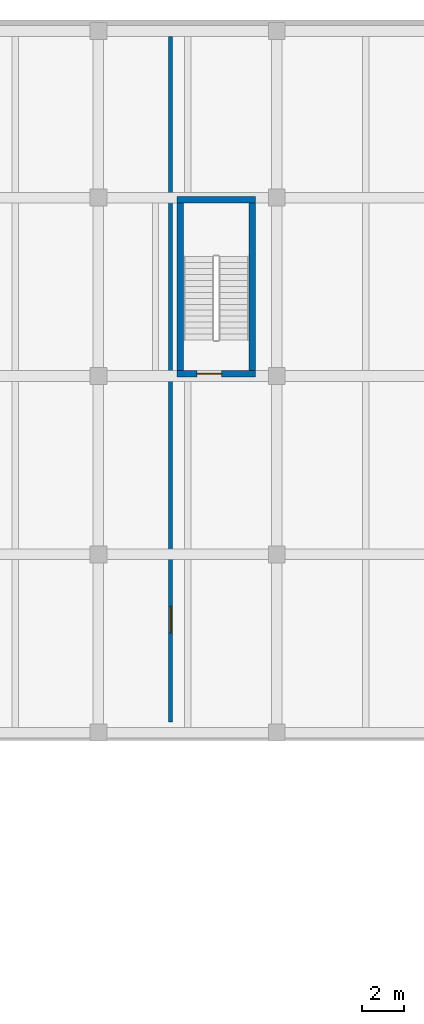
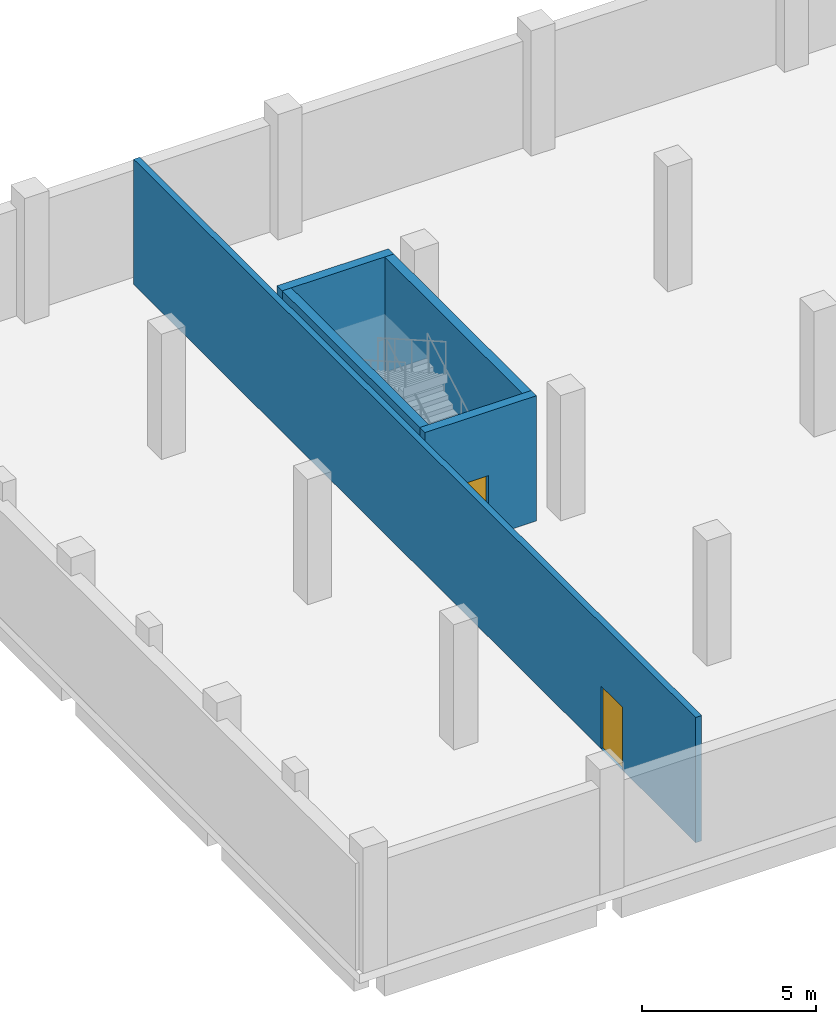
# One storey, part 9 of 17: 5 walls, 2 doors, 2 openings.
"""IFC4 building model written with IfcOpenShell, lengths in metres."""

from ifc_helpers import new_model, si_unit, direction, frame, frame_2d, origin, place, context, subcontext, project, spatial, rectangle, extrude, material, layer, layer_set, type_object, element, fill, save


model = new_model("IFC4")

# Units and contexts
model_context = context("Model", 3, precision=1e-05, world=origin(), true_north=direction((0.0, 1.0)))
body_context = subcontext(model_context, "Body", "Model", "MODEL_VIEW")
ifc_project = project(units=[si_unit("LENGTHUNIT", "METRE"), si_unit("AREAUNIT", "SQUARE_METRE"), si_unit("VOLUMEUNIT", "CUBIC_METRE"), si_unit("PLANEANGLEUNIT", "RADIAN"), si_unit("MASSUNIT", "GRAM", prefix="KILO")], contexts=[model_context])

# Site, building, storey
site_placement = place(None, origin())
site = spatial("IfcSite", under=ifc_project, at=site_placement, CompositionType="ELEMENT")
building_placement = place(site_placement, origin())
building = spatial("IfcBuilding", under=site, at=building_placement, Name="Brinegate Botanical Conservatory", CompositionType="ELEMENT")
storey_placement = place(building_placement, frame((0.0, 0.0, -4.800048828125)))
storey = spatial("IfcBuildingStorey", under=building, at=storey_placement, Name="B1", CompositionType="ELEMENT", Elevation=-4.800048828125)

# Wall, opening, door
ifc_material_1 = material(Name="Autoclaved aerated concrete C40/50 blockwork", Category="masonry")
ifc_layer_1 = layer(ifc_material_1, 0.199951171875, Name="Autoclaved aerated concrete C40/50 blockwork", Category="masonry")
ifc_layer_set_1 = layer_set([ifc_layer_1], Name="Autoclaved aerated concrete C40/50 blockwork")
wall_type_1 = type_object("IfcWallType", Name="Wall_PW-200F", PredefinedType="SOLIDWALL", material=ifc_layer_set_1)
wall_1_placement = place(storey_placement, frame((11.800048828125, 78.89990234375, 0.0), z_axis=(0.0, 0.0, 1.0), x_axis=(0.0, 1.0, 0.0)))
wall_1 = element("IfcWall", 1, at=wall_1_placement, inside=storey, type_object=wall_type_1, Name="Interior partition P-B1-WPLANT", PredefinedType="SOLIDWALL", context=body_context, shape_type="SweptSolid", body=[
    extrude(rectangle(XDim=32.300048828125, YDim=0.199951171875, at=frame_2d((16.14990234375, 0.0))), origin(), (0.0, 0.0, 1.0), 4.39501953125),
])
opening_1_placement = place(wall_1_placement, frame((4.199951171875, 0.0, 0.0)))
opening_1 = element("IfcOpeningElement", 2, at=opening_1_placement, cuts=wall_1, Name="Opening FD-A1", PredefinedType="OPENING", context=body_context, shape_type="SweptSolid", body=[
    extrude(rectangle(XDim=1.25, YDim=2.199951171875, at=frame_2d((0.625, 1.10009765625))), frame((0.0, 0.10986328125, 0.0), z_axis=(0.0, -1.0, 0.0), x_axis=(1.0, 0.0, 0.0)), (0.0, 0.0, 1.0), 0.219970703125),
])
ifc_material_2 = material(Name="Steel fire-rated assembly", Category="steel")
door_type_1 = type_object("IfcDoorType", Name="Door_FD-A1", OperationType="NOTDEFINED", PredefinedType="DOOR", material=ifc_material_2)
door_1_placement = place(opening_1_placement, origin())
door_1 = element("IfcDoor", 3, at=door_1_placement, inside=storey, type_object=door_type_1, Name="DR-P-B1-WPLANT-1", OperationType="SINGLE_SWING_RIGHT", OverallHeight=2.199951171875, OverallWidth=1.25, PredefinedType="DOOR", context=body_context, shape_type="SweptSolid", body=[
    extrude(rectangle(XDim=1.25, YDim=2.199951171875, at=frame_2d((0.625, 1.10009765625))), frame((0.0, 0.02490234375, 0.0), z_axis=(0.0, -1.0, 0.0), x_axis=(1.0, 0.0, 0.0)), (0.0, 0.0, 1.0), 0.050048828125),
])
fill(opening_1, door_1)

ifc_material_3 = material(Name="Concrete C40/50", Category="concrete")
ifc_layer_2 = layer(ifc_material_3, 0.300048828125, Name="Concrete C40/50", Category="concrete")
ifc_layer_set_2 = layer_set([ifc_layer_2], Name="Concrete C40/50")
wall_type_2 = type_object("IfcWallType", Name="Wall_SW-300", PredefinedType="SHEAR", material=ifc_layer_set_2)
wall_2_placement = place(storey_placement, frame((12.10009765625, 95.300048828125, 0.0), z_axis=(0.0, 0.0, 1.0), x_axis=(1.0, 0.0, 0.0)))
wall_2 = element("IfcWall", 4, at=wall_2_placement, inside=storey, type_object=wall_type_2, Name="Stairwell ST8 shear wall B1 S", PredefinedType="SHEAR", context=body_context, shape_type="SweptSolid", body=[
    extrude(rectangle(XDim=3.699951171875, YDim=0.300048828125, at=frame_2d((1.85009765625, 0.0))), origin(), (0.0, 0.0, 1.0), 4.39501953125),
])
opening_2_placement = place(wall_2_placement, frame((0.949951171875, 0.0, 0.0)))
opening_2 = element("IfcOpeningElement", 5, at=opening_2_placement, cuts=wall_2, Name="Opening FD-B4", PredefinedType="OPENING", context=body_context, shape_type="SweptSolid", body=[
    extrude(rectangle(XDim=1.14990234375, YDim=2.14990234375, at=frame_2d((0.574951171875, 1.074951171875))), frame((0.0, 0.159912109375, 0.0), z_axis=(0.0, -1.0, 0.0), x_axis=(1.0, 0.0, 0.0)), (0.0, 0.0, 1.0), 0.320068359375),
])
ifc_material_4 = material(Name="Steel stairwell fire door", Category="steel")
door_type_2 = type_object("IfcDoorType", Name="Door_FD-B4", OperationType="NOTDEFINED", PredefinedType="DOOR", material=ifc_material_4)
door_2_placement = place(opening_2_placement, origin())
door_2 = element("IfcDoor", 6, at=door_2_placement, inside=storey, type_object=door_type_2, Name="DR-ST-ST8-B1", OperationType="SINGLE_SWING_RIGHT", OverallHeight=2.14990234375, OverallWidth=1.14990234375, PredefinedType="DOOR", context=body_context, shape_type="SweptSolid", body=[
    extrude(rectangle(XDim=1.14990234375, YDim=2.14990234375, at=frame_2d((0.574951171875, 1.074951171875))), frame((0.0, 0.02490234375, 0.0), z_axis=(0.0, -1.0, 0.0), x_axis=(1.0, 0.0, 0.0)), (0.0, 0.0, 1.0), 0.050048828125),
])
fill(opening_2, door_2)

# Walls
wall_3_placement = place(storey_placement, frame((12.10009765625, 103.5, 0.0), z_axis=(0.0, 0.0, 1.0), x_axis=(1.0, 0.0, 0.0)))
element("IfcWall", 7, at=wall_3_placement, inside=storey, type_object=wall_type_2, Name="Stairwell ST8 shear wall B1 N", PredefinedType="SHEAR", context=body_context, shape_type="SweptSolid", body=[
    extrude(rectangle(XDim=3.699951171875, YDim=0.300048828125, at=frame_2d((1.85009765625, 0.0))), origin(), (0.0, 0.0, 1.0), 4.39501953125),
])
for number, where, z_axis, x_axis, name in (
    (8, (12.25, 95.449951171875, 0.0), (0.0, 0.0, 1.0), (0.0, 1.0, 0.0), "Stairwell ST8 shear wall B1 W"),
    (9, (15.64990234375, 95.449951171875, 0.0), (0.0, 0.0, 1.0), (0.0, 1.0, 0.0), "Stairwell ST8 shear wall B1 E"),
):
    element("IfcWall", number, at=place(storey_placement, frame(where, z_axis=z_axis, x_axis=x_axis)), inside=storey, type_object=wall_type_2, Name=name, PredefinedType="SHEAR", context=body_context, shape_type="SweptSolid", body=[
        extrude(rectangle(XDim=7.900146484375, YDim=0.300048828125, at=frame_2d((3.9501953125, 0.0))), origin(), (0.0, 0.0, 1.0), 4.39501953125),
    ])

save(model, "model.ifc")
